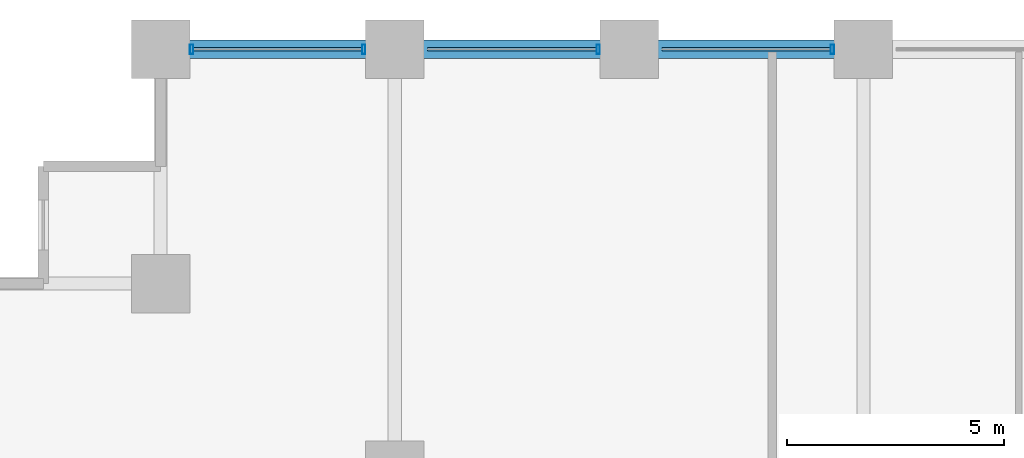
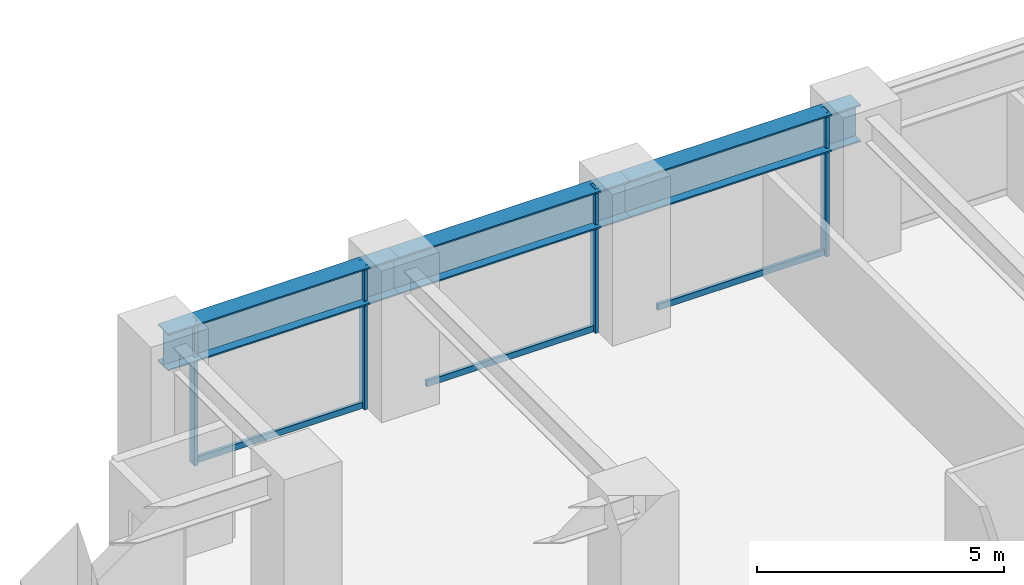
# One storey, part 12 of 25: 7 members, 3 beams, 1 element without a shape of its own.
"""IFC4 building model written with IfcOpenShell, lengths in metres."""

from ifc_helpers import new_model, si_unit, direction, frame, origin, origin_2d, place, context, subcontext, project, spatial, hollow_rectangle, i_section, extrude, material, layer, layer_set, material_profile, profile_set, type_object, element, aggregate, save


model = new_model("IFC4")

# Units and contexts
model_context = context("Model", 3, precision=1e-05, world=origin(), true_north=direction((0.0, 1.0)))
body_context = subcontext(model_context, "Body", "Model", "MODEL_VIEW")
ifc_project = project(units=[si_unit("LENGTHUNIT", "METRE"), si_unit("AREAUNIT", "SQUARE_METRE"), si_unit("VOLUMEUNIT", "CUBIC_METRE"), si_unit("PLANEANGLEUNIT", "RADIAN"), si_unit("MASSUNIT", "GRAM", prefix="KILO")], contexts=[model_context])

# Site, building, storey
site_placement = place(None, origin())
site = spatial("IfcSite", under=ifc_project, at=site_placement, CompositionType="ELEMENT")
building_placement = place(site_placement, origin())
building = spatial("IfcBuilding", under=site, at=building_placement, Name="Surkhivell Harbour Commons", CompositionType="ELEMENT")
storey_placement = place(building_placement, frame((0.0, 0.0, 48.75)))
storey = spatial("IfcBuildingStorey", under=building, at=storey_placement, Name="L12", CompositionType="ELEMENT", Elevation=48.75)

# Beams
ifc_material_1 = material(Name="Steel S460", Category="steel")
ifc_material_profile_1 = material_profile(ifc_material_1, i_section(OverallWidth=0.419921875, OverallDepth=0.9208984375, WebThickness=0.021484375, FlangeThickness=0.03662109375, at=origin_2d()), Name="UB914x419x388")
ifc_profile_set_1 = profile_set([ifc_material_profile_1], Name="Steel S460")
beam_type = type_object("IfcBeamType", Name="BM-SPN-914A", PredefinedType="SPANDREL", material=ifc_profile_set_1)
beam_1_placement = place(storey_placement, frame((-27.0, 25.89990234375, 3.109619140625), z_axis=(1.0, 0.0, 0.0), x_axis=(0.0, 1.0, 0.0)))
element("IfcBeam", 1, at=beam_1_placement, inside=storey, type_object=beam_type, Name="L12 Tube Spandrel (-27.0,25.9)", PredefinedType="SPANDREL", context=body_context, shape_type="SweptSolid", body=[
    extrude(i_section(OverallWidth=0.419921875, OverallDepth=0.9208984375, WebThickness=0.021484375, FlangeThickness=0.03662109375, at=origin_2d()), origin(), (0.0, 0.0, 1.0), 5.39990234375),
])
beam_2_placement = place(storey_placement, frame((-21.60009765625, 25.89990234375, 3.109619140625), z_axis=(1.0, 0.0, 0.0), x_axis=(0.0, 1.0, 0.0)))
element("IfcBeam", 2, at=beam_2_placement, inside=storey, type_object=beam_type, Name="L12 Tube Spandrel (-21.6,25.9)", PredefinedType="SPANDREL", context=body_context, shape_type="SweptSolid", body=[
    extrude(i_section(OverallWidth=0.419921875, OverallDepth=0.9208984375, WebThickness=0.021484375, FlangeThickness=0.03662109375, at=origin_2d()), origin(), (0.0, 0.0, 1.0), 5.400146484375),
])
beam_3_placement = place(storey_placement, frame((-16.199951171875, 25.89990234375, 3.109619140625), z_axis=(1.0, 0.0, 0.0), x_axis=(0.0, 1.0, 0.0)))
element("IfcBeam", 3, at=beam_3_placement, inside=storey, type_object=beam_type, Name="L12 Tube Spandrel (-16.2,25.9)", PredefinedType="SPANDREL", context=body_context, shape_type="SweptSolid", body=[
    extrude(i_section(OverallWidth=0.419921875, OverallDepth=0.9208984375, WebThickness=0.021484375, FlangeThickness=0.03662109375, at=origin_2d()), origin(), (0.0, 0.0, 1.0), 5.39990234375),
])

# Curtain wall, members
ifc_material_2 = material(Name="Anodised pale-metal aluminium and insulated glazing", Category="aluminium")
ifc_layer = layer(ifc_material_2, 0.219970703125)
ifc_layer_set = layer_set([ifc_layer], Name="Anodised pale-metal aluminium and insulated glazing")
curtain_wall_type = type_object("IfcCurtainWallType", Name="CW-SYS-Z1", PredefinedType="NOTDEFINED", material=ifc_layer_set)
curtain_wall_placement = place(storey_placement, origin())
curtain_wall = element("IfcCurtainWall", 4, at=curtain_wall_placement, inside=storey, type_object=curtain_wall_type, Name="L12 Curtain Wall CW-L12-E07S2", PredefinedType="NOTDEFINED")
ifc_material_3 = material(Name="Anodised pale-metal aluminium alloy 6063-T6", Category="aluminium")
ifc_material_profile_2 = material_profile(ifc_material_3, hollow_rectangle(XDim=0.074951171875, YDim=0.219970703125, WallThickness=0.00390625, at=origin_2d()), Name="ALU-MULL-75x220")
ifc_profile_set_2 = profile_set([ifc_material_profile_2], Name="Anodised pale-metal aluminium alloy 6063-T6")
member_type_1 = type_object("IfcMemberType", Name="CWM-220", PredefinedType="MULLION", material=ifc_profile_set_2)
member_1_placement = place(storey_placement, frame((-11.514404296875, 25.89990234375, 0.0), z_axis=(0.0, 0.0, 1.0), x_axis=(-1.0, 0.0, 0.0)))
member_1 = element("IfcMember", 5, at=member_1_placement, type_object=member_type_1, Name="CW-Z1 mullion 2", PredefinedType="MULLION", context=body_context, shape_type="SweptSolid", body=[
    extrude(hollow_rectangle(XDim=0.074951171875, YDim=0.219970703125, WallThickness=0.00390625, at=origin_2d()), origin(), (0.0, 0.0, 1.0), 3.570068359375),
])
member_2_placement = place(storey_placement, frame((-16.91455078125, 25.89990234375, 0.0), z_axis=(0.0, 0.0, 1.0), x_axis=(-1.0, 0.0, 0.0)))
member_2 = element("IfcMember", 6, at=member_2_placement, type_object=member_type_1, Name="CW-Z1 mullion 3", PredefinedType="MULLION", context=body_context, shape_type="SweptSolid", body=[
    extrude(hollow_rectangle(XDim=0.074951171875, YDim=0.219970703125, WallThickness=0.00390625, at=origin_2d()), origin(), (0.0, 0.0, 1.0), 3.570068359375),
])
member_3_placement = place(storey_placement, frame((-22.314453125, 25.89990234375, 0.0), z_axis=(0.0, 0.0, 1.0), x_axis=(-1.0, 0.0, 0.0)))
member_3 = element("IfcMember", 7, at=member_3_placement, type_object=member_type_1, Name="CW-Z1 mullion 4", PredefinedType="MULLION", context=body_context, shape_type="SweptSolid", body=[
    extrude(hollow_rectangle(XDim=0.074951171875, YDim=0.219970703125, WallThickness=0.00390625, at=origin_2d()), origin(), (0.0, 0.0, 1.0), 3.570068359375),
])
member_4_placement = place(storey_placement, frame((-26.285400390625, 25.89990234375, 0.0), z_axis=(0.0, 0.0, 1.0), x_axis=(-1.0, 0.0, 0.0)))
member_4 = element("IfcMember", 8, at=member_4_placement, type_object=member_type_1, Name="CW-Z1 mullion 5", PredefinedType="MULLION", context=body_context, shape_type="SweptSolid", body=[
    extrude(hollow_rectangle(XDim=0.074951171875, YDim=0.219970703125, WallThickness=0.00390625, at=origin_2d()), origin(), (0.0, 0.0, 1.0), 3.570068359375),
])
ifc_material_profile_3 = material_profile(ifc_material_3, hollow_rectangle(XDim=0.074951171875, YDim=0.14990234375, WallThickness=0.00341796875, at=origin_2d()), Name="ALU-TRAN-75x150")
ifc_profile_set_3 = profile_set([ifc_material_profile_3], Name="Anodised pale-metal aluminium alloy 6063-T6")
member_type_2 = type_object("IfcMemberType", Name="CWT-150", PredefinedType="USERDEFINED", material=ifc_profile_set_3)
member_5_placement = place(storey_placement, frame((-11.552001953125, 25.89990234375, 0.074951171875), z_axis=(-1.0, 0.0, 0.0), x_axis=(0.0, -1.0, 0.0)))
member_5 = element("IfcMember", 9, at=member_5_placement, type_object=member_type_2, Name="CW-Z1 transom 2.1", ObjectType="TRANSOM", PredefinedType="USERDEFINED", context=body_context, shape_type="SweptSolid", body=[
    extrude(hollow_rectangle(XDim=0.074951171875, YDim=0.14990234375, WallThickness=0.00341796875, at=origin_2d()), origin(), (0.0, 0.0, 1.0), 3.89599609375),
])
member_6_placement = place(storey_placement, frame((-16.951904296875, 25.89990234375, 0.074951171875), z_axis=(-1.0, 0.0, 0.0), x_axis=(0.0, -1.0, 0.0)))
member_6 = element("IfcMember", 10, at=member_6_placement, type_object=member_type_2, Name="CW-Z1 transom 3.1", ObjectType="TRANSOM", PredefinedType="USERDEFINED", context=body_context, shape_type="SweptSolid", body=[
    extrude(hollow_rectangle(XDim=0.074951171875, YDim=0.14990234375, WallThickness=0.00341796875, at=origin_2d()), origin(), (0.0, 0.0, 1.0), 3.89599609375),
])
member_7_placement = place(storey_placement, frame((-22.35205078125, 25.89990234375, 0.074951171875), z_axis=(-1.0, 0.0, 0.0), x_axis=(0.0, -1.0, 0.0)))
member_7 = element("IfcMember", 11, at=member_7_placement, type_object=member_type_2, Name="CW-Z1 transom 4.1", ObjectType="TRANSOM", PredefinedType="USERDEFINED", context=body_context, shape_type="SweptSolid", body=[
    extrude(hollow_rectangle(XDim=0.074951171875, YDim=0.14990234375, WallThickness=0.00341796875, at=origin_2d()), origin(), (0.0, 0.0, 1.0), 3.89599609375),
])
aggregate(curtain_wall, [member_1, member_5, member_2, member_6, member_3, member_4, member_7])

save(model, "model.ifc")
